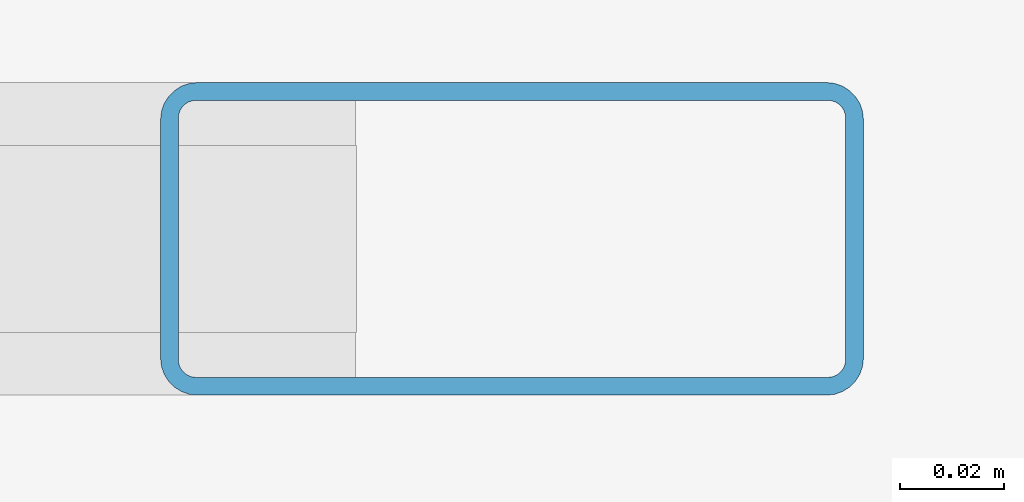
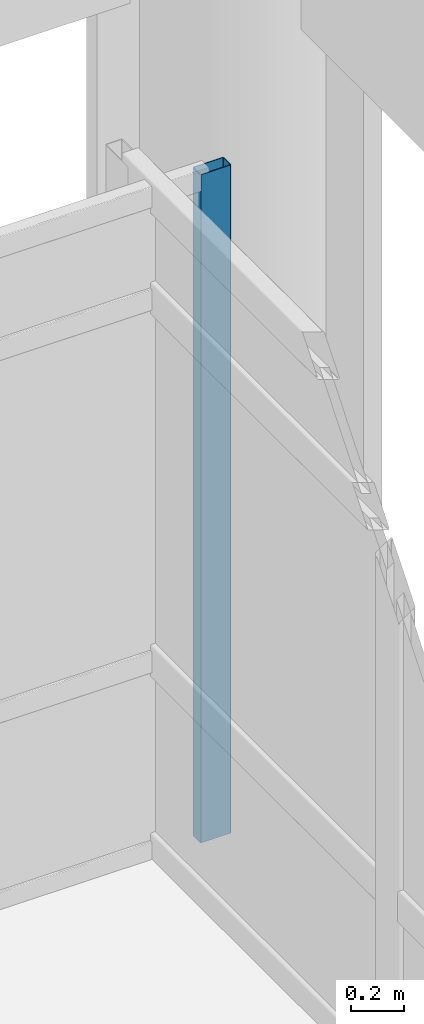
# One storey, part 55 of 180: 1 member, 1 element without a shape of its own.
"""IFC4 building model written with IfcOpenShell, lengths in metres."""

from ifc_helpers import new_model, si_unit, direction, frame, origin, origin_2d, place, context, subcontext, project, spatial, hollow_rectangle, extrude, material, layer, layer_set, material_profile, profile_set, type_object, element, aggregate, save


model = new_model("IFC4")

# Units and contexts
model_context = context("Model", 3, precision=1e-05, world=origin(), true_north=direction((0.0, 1.0)))
body_context = subcontext(model_context, "Body", "Model", "MODEL_VIEW")
ifc_project = project(units=[si_unit("LENGTHUNIT", "METRE"), si_unit("AREAUNIT", "SQUARE_METRE"), si_unit("VOLUMEUNIT", "CUBIC_METRE"), si_unit("PLANEANGLEUNIT", "RADIAN"), si_unit("MASSUNIT", "GRAM", prefix="KILO")], contexts=[model_context])

# Site, building, storey
site_placement = place(None, origin())
site = spatial("IfcSite", under=ifc_project, at=site_placement, CompositionType="ELEMENT")
building_placement = place(site_placement, origin())
building = spatial("IfcBuilding", under=site, at=building_placement, Name="Asteropetra Specialist Clinic", CompositionType="ELEMENT")
storey_placement = place(building_placement, frame((0.0, 0.0, 4.419921875)))
storey = spatial("IfcBuildingStorey", under=building, at=storey_placement, Name="L01", CompositionType="ELEMENT", Elevation=4.419921875)

# Curtain wall, member
ifc_material_1 = material(Name="Aluminium and low-E glass", Category="aluminium")
ifc_layer = layer(ifc_material_1, 0.14990234375)
ifc_layer_set = layer_set([ifc_layer], Name="Aluminium and low-E glass")
curtain_wall_type = type_object("IfcCurtainWallType", Name="CW-SYS-11", PredefinedType="USERDEFINED", material=ifc_layer_set)
curtain_wall_placement = place(storey_placement, origin())
curtain_wall = element("IfcCurtainWall", 1, at=curtain_wall_placement, inside=storey, type_object=curtain_wall_type, Name="Curtain Wall CW-158", ObjectType="STICK GLAZED COLONNADE", PredefinedType="USERDEFINED")
ifc_material_2 = material(Name="Aluminium 6063-T6", Category="aluminium")
ifc_material_profile = material_profile(ifc_material_2, hollow_rectangle(XDim=0.06005859375, YDim=0.135009765625, WallThickness=0.00341796875, InnerFilletRadius=0.00341796875, OuterFilletRadius=0.007080078125, at=origin_2d()), Name="MUL 135x60x3.5")
ifc_profile_set = profile_set([ifc_material_profile], Name="Aluminium 6063-T6")
member_type = type_object("IfcMemberType", Name="CWM-135x60", PredefinedType="MULLION", material=ifc_profile_set)
member_placement = place(storey_placement, frame((47.4599609375, 61.6201171875, 0.0), z_axis=(0.0, 0.0, 1.0), x_axis=(0.0, -1.0, 0.0)))
member = element("IfcMember", 2, at=member_placement, type_object=member_type, Name="CW-158 mullion 1", PredefinedType="MULLION", context=body_context, shape_type="SweptSolid", body=[
    extrude(hollow_rectangle(XDim=0.06005859375, YDim=0.135009765625, WallThickness=0.00341796875, InnerFilletRadius=0.00341796875, OuterFilletRadius=0.007080078125, at=origin_2d()), origin(), (0.0, 0.0, 1.0), 3.06005859375),
])
aggregate(curtain_wall, [member])

save(model, "model.ifc")
